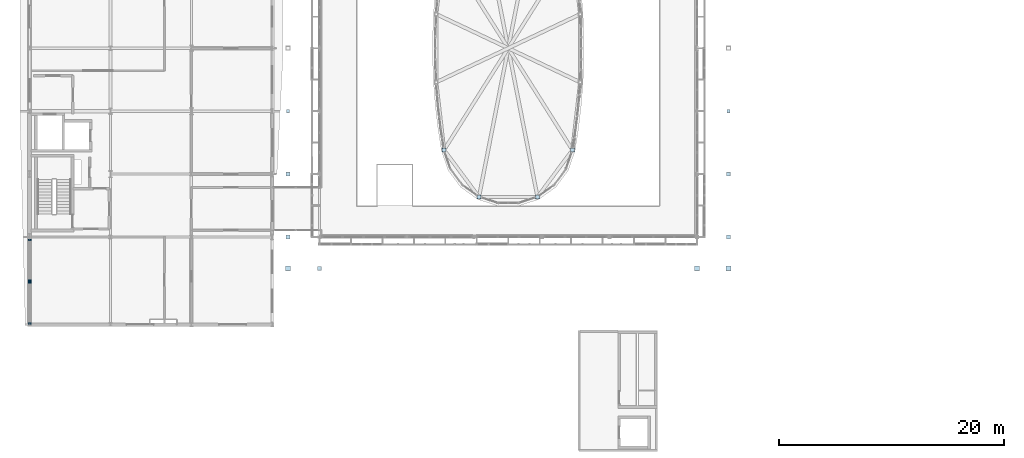
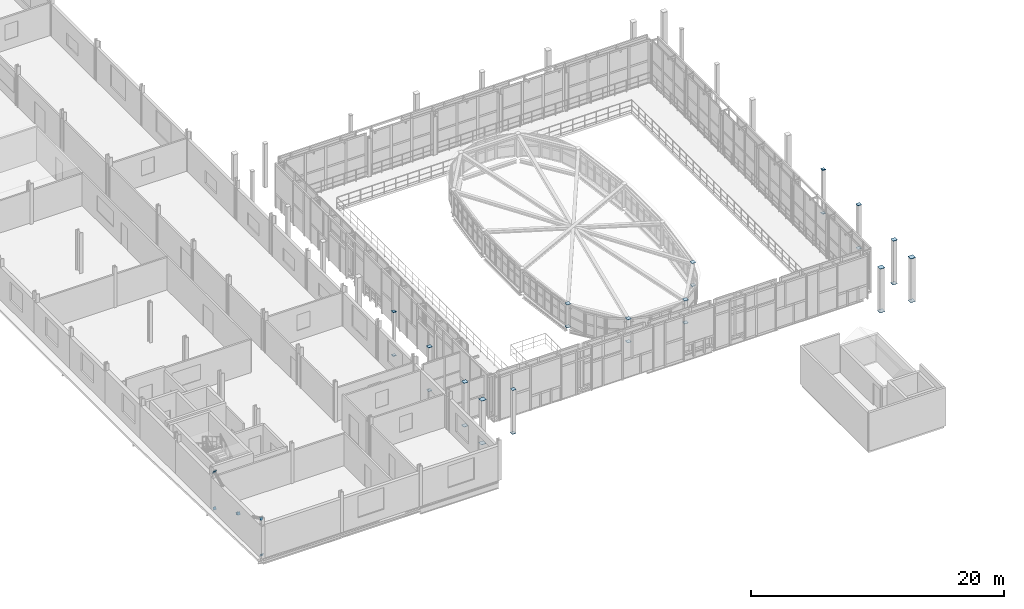
# One storey, part 57 of 78: 34 plates.
"""IFC4 building model written with IfcOpenShell, lengths in metres."""

from ifc_helpers import new_model, si_unit, direction, frame, origin, origin_2d, place, context, subcontext, project, spatial, rectangle, extrude, material, material_profile, profile_set, type_object, element, save


model = new_model("IFC4")

# Units and contexts
model_context = context("Model", 3, precision=1e-05, world=origin(), true_north=direction((0.0, 1.0)))
body_context = subcontext(model_context, "Body", "Model", "MODEL_VIEW")
ifc_project = project(units=[si_unit("LENGTHUNIT", "METRE"), si_unit("AREAUNIT", "SQUARE_METRE"), si_unit("VOLUMEUNIT", "CUBIC_METRE"), si_unit("PLANEANGLEUNIT", "RADIAN"), si_unit("MASSUNIT", "GRAM", prefix="KILO")], contexts=[model_context])

# Site, building, storey
site_placement = place(None, origin())
site = spatial("IfcSite", under=ifc_project, at=site_placement, CompositionType="ELEMENT")
building_placement = place(site_placement, origin())
building = spatial("IfcBuilding", under=site, at=building_placement, Name="Vinh Khe Railworks Police Headquarters", CompositionType="ELEMENT")
storey_placement = place(building_placement, frame((0.0, 0.0, 13.199951171875)))
storey = spatial("IfcBuildingStorey", under=building, at=storey_placement, Name="L03", CompositionType="ELEMENT", Elevation=13.199951171875)

# Plates
ifc_material = material(Name="Steel S355JR", Category="steel")
ifc_material_profile_1 = material_profile(ifc_material, rectangle(XDim=0.259033203125, YDim=0.259033203125, at=origin_2d()), Name="PL 259x259")
ifc_profile_set_1 = profile_set([ifc_material_profile_1], Name="Steel S355JR")
plate_type_1 = type_object("IfcPlateType", Name="Steel End-Cap Plate 259x259x24", PredefinedType="SHEET", material=ifc_profile_set_1)
for number, where, z_axis, x_axis, name in (
    (1, (0.60009765625, 17.52490234375, 0.199951171875), (0.0, -0.902481037784, -0.430729586215), (1.0, 0.0, 0.0), "End-Cap Gusset Plate PLT-EP-0003"),
    (2, (0.60009765625, 17.52490234375, 3.699951171875), (0.0, -0.902481037784, 0.430729586215), (1.0, 0.0, 0.0), "End-Cap Gusset Plate PLT-EP-0004"),
    (3, (0.60009765625, 21.119384765625, 1.998779296875), (0.0, 0.904357603074, -0.42677549808), (-1.0, 0.0, 0.0), "End-Cap Gusset Plate PLT-EP-0017"),
    (4, (0.60009765625, 21.325439453125, 1.9013671875), (0.0, -0.904357603074, 0.42677549808), (1.0, 0.0, 0.0), "End-Cap Gusset Plate PLT-EP-0026"),
    (5, (0.60009765625, 24.919921875, 0.199951171875), (0.0, 0.904357603074, -0.42677549808), (-1.0, 0.0, 0.0), "End-Cap Gusset Plate PLT-EP-0039"),
    (6, (0.60009765625, 24.919921875, 3.699951171875), (0.0, 0.904357603074, 0.42677549808), (-1.0, 0.0, 0.0), "End-Cap Gusset Plate PLT-EP-0040"),
):
    element("IfcPlate", number, at=place(storey_placement, frame(where, z_axis=z_axis, x_axis=x_axis)), inside=storey, type_object=plate_type_1, Name=name, PredefinedType="SHEET", context=body_context, shape_type="SweptSolid", body=[
        extrude(rectangle(XDim=0.259033203125, YDim=0.259033203125, at=origin_2d()), origin(), (0.0, 0.0, 1.0), 0.02392578125),
    ])
ifc_material_profile_2 = material_profile(ifc_material, rectangle(XDim=0.2900390625, YDim=0.2900390625, at=origin_2d()), Name="PL 290x290")
ifc_profile_set_2 = profile_set([ifc_material_profile_2], Name="Steel S355JR")
plate_type_2 = type_object("IfcPlateType", Name="Steel End-Cap Plate 290x290x24", PredefinedType="SHEET", material=ifc_profile_set_2)
plate_1_placement = place(storey_placement, frame((23.60009765625, 36.39990234375, 0.0), z_axis=(0.0, 0.0, -1.0), x_axis=(1.0, 0.0, 0.0)))
element("IfcPlate", 7, at=plate_1_placement, inside=storey, type_object=plate_type_2, Name="End-Cap Gusset Plate PLT-EP-0163", PredefinedType="SHEET", context=body_context, shape_type="SweptSolid", body=[
    extrude(rectangle(XDim=0.2900390625, YDim=0.2900390625, at=origin_2d()), origin(), (0.0, 0.0, 1.0), 0.02392578125),
])
plate_2_placement = place(storey_placement, frame((23.60009765625, 36.39990234375, 4.199951171875), z_axis=(0.0, 0.0, 1.0), x_axis=(1.0, 0.0, 0.0)))
element("IfcPlate", 8, at=plate_2_placement, inside=storey, type_object=plate_type_2, Name="End-Cap Gusset Plate PLT-EP-0165", PredefinedType="SHEET", context=body_context, shape_type="SweptSolid", body=[
    extrude(rectangle(XDim=0.2900390625, YDim=0.2900390625, at=origin_2d()), origin(), (0.0, 0.0, 1.0), 0.024169921875),
])
plate_3_placement = place(storey_placement, frame((62.800048828125, 36.39990234375, 0.0), z_axis=(0.0, 0.0, -1.0), x_axis=(1.0, 0.0, 0.0)))
element("IfcPlate", 9, at=plate_3_placement, inside=storey, type_object=plate_type_2, Name="End-Cap Gusset Plate PLT-EP-0611", PredefinedType="SHEET", context=body_context, shape_type="SweptSolid", body=[
    extrude(rectangle(XDim=0.2900390625, YDim=0.2900390625, at=origin_2d()), origin(), (0.0, 0.0, 1.0), 0.02392578125),
])
plate_4_placement = place(storey_placement, frame((62.800048828125, 36.39990234375, 4.199951171875), z_axis=(0.0, 0.0, 1.0), x_axis=(1.0, 0.0, 0.0)))
element("IfcPlate", 10, at=plate_4_placement, inside=storey, type_object=plate_type_2, Name="End-Cap Gusset Plate PLT-EP-0613", PredefinedType="SHEET", context=body_context, shape_type="SweptSolid", body=[
    extrude(rectangle(XDim=0.2900390625, YDim=0.2900390625, at=origin_2d()), origin(), (0.0, 0.0, 1.0), 0.024169921875),
])
ifc_material_profile_3 = material_profile(ifc_material, rectangle(XDim=0.340087890625, YDim=0.340087890625, at=origin_2d()), Name="PL 340x340")
ifc_profile_set_3 = profile_set([ifc_material_profile_3], Name="Steel S355JR")
plate_type_3 = type_object("IfcPlateType", Name="Steel End-Cap Plate 340x340x24", PredefinedType="SHEET", material=ifc_profile_set_3)
plate_5_placement = place(storey_placement, frame((23.60009765625, 30.800048828125, 0.0), z_axis=(0.0, 0.0, -1.0), x_axis=(1.0, 0.0, 0.0)))
element("IfcPlate", 11, at=plate_5_placement, inside=storey, type_object=plate_type_3, Name="End-Cap Gusset Plate PLT-EP-0155", PredefinedType="SHEET", context=body_context, shape_type="SweptSolid", body=[
    extrude(rectangle(XDim=0.340087890625, YDim=0.340087890625, at=origin_2d()), origin(), (0.0, 0.0, 1.0), 0.02392578125),
])
plate_6_placement = place(storey_placement, frame((23.60009765625, 30.800048828125, 4.199951171875), z_axis=(0.0, 0.0, 1.0), x_axis=(1.0, 0.0, 0.0)))
element("IfcPlate", 12, at=plate_6_placement, inside=storey, type_object=plate_type_3, Name="End-Cap Gusset Plate PLT-EP-0157", PredefinedType="SHEET", context=body_context, shape_type="SweptSolid", body=[
    extrude(rectangle(XDim=0.340087890625, YDim=0.340087890625, at=origin_2d()), origin(), (0.0, 0.0, 1.0), 0.024169921875),
])
plate_7_placement = place(storey_placement, frame((26.39990234375, 22.39990234375, 0.0), z_axis=(0.0, 0.0, -1.0), x_axis=(1.0, 0.0, 0.0)))
element("IfcPlate", 13, at=plate_7_placement, inside=storey, type_object=plate_type_3, Name="End-Cap Gusset Plate PLT-EP-0228", PredefinedType="SHEET", context=body_context, shape_type="SweptSolid", body=[
    extrude(rectangle(XDim=0.340087890625, YDim=0.340087890625, at=origin_2d()), origin(), (0.0, 0.0, 1.0), 0.02392578125),
])
plate_8_placement = place(storey_placement, frame((26.39990234375, 22.39990234375, 4.199951171875), z_axis=(0.0, 0.0, 1.0), x_axis=(1.0, 0.0, 0.0)))
element("IfcPlate", 14, at=plate_8_placement, inside=storey, type_object=plate_type_3, Name="End-Cap Gusset Plate PLT-EP-0231", PredefinedType="SHEET", context=body_context, shape_type="SweptSolid", body=[
    extrude(rectangle(XDim=0.340087890625, YDim=0.340087890625, at=origin_2d()), origin(), (0.0, 0.0, 1.0), 0.024169921875),
])
plate_9_placement = place(storey_placement, frame((62.800048828125, 30.800048828125, 0.0), z_axis=(0.0, 0.0, -1.0), x_axis=(1.0, 0.0, 0.0)))
element("IfcPlate", 15, at=plate_9_placement, inside=storey, type_object=plate_type_3, Name="End-Cap Gusset Plate PLT-EP-0603", PredefinedType="SHEET", context=body_context, shape_type="SweptSolid", body=[
    extrude(rectangle(XDim=0.340087890625, YDim=0.340087890625, at=origin_2d()), origin(), (0.0, 0.0, 1.0), 0.02392578125),
])
plate_10_placement = place(storey_placement, frame((62.800048828125, 30.800048828125, 4.199951171875), z_axis=(0.0, 0.0, 1.0), x_axis=(1.0, 0.0, 0.0)))
element("IfcPlate", 16, at=plate_10_placement, inside=storey, type_object=plate_type_3, Name="End-Cap Gusset Plate PLT-EP-0605", PredefinedType="SHEET", context=body_context, shape_type="SweptSolid", body=[
    extrude(rectangle(XDim=0.340087890625, YDim=0.340087890625, at=origin_2d()), origin(), (0.0, 0.0, 1.0), 0.024169921875),
])
ifc_material_profile_4 = material_profile(ifc_material, rectangle(XDim=0.364013671875, YDim=0.364013671875, at=origin_2d()), Name="PL 364x364")
ifc_profile_set_4 = profile_set([ifc_material_profile_4], Name="Steel S355JR")
plate_type_4 = type_object("IfcPlateType", Name="Steel End-Cap Plate 364x364x24", PredefinedType="SHEET", material=ifc_profile_set_4)
plate_11_placement = place(storey_placement, frame((37.48681640625, 32.944091796875, 0.0), z_axis=(0.0, 0.0, -1.0), x_axis=(1.0, 0.0, 0.0)))
element("IfcPlate", 17, at=plate_11_placement, inside=storey, type_object=plate_type_4, Name="End-Cap Gusset Plate PLT-EP-0355", PredefinedType="SHEET", context=body_context, shape_type="SweptSolid", body=[
    extrude(rectangle(XDim=0.364013671875, YDim=0.364013671875, at=origin_2d()), origin(), (0.0, 0.0, 1.0), 0.02392578125),
])
plate_12_placement = place(storey_placement, frame((37.48681640625, 32.944091796875, 2.199951171875), z_axis=(0.0, 0.0, 1.0), x_axis=(1.0, 0.0, 0.0)))
element("IfcPlate", 18, at=plate_12_placement, inside=storey, type_object=plate_type_4, Name="End-Cap Gusset Plate PLT-EP-0357", PredefinedType="SHEET", context=body_context, shape_type="SweptSolid", body=[
    extrude(rectangle(XDim=0.364013671875, YDim=0.364013671875, at=origin_2d()), origin(), (0.0, 0.0, 1.0), 0.024169921875),
])
plate_13_placement = place(storey_placement, frame((40.594970703125, 28.762451171875, 0.0), z_axis=(0.0, 0.0, -1.0), x_axis=(1.0, 0.0, 0.0)))
element("IfcPlate", 19, at=plate_13_placement, inside=storey, type_object=plate_type_4, Name="End-Cap Gusset Plate PLT-EP-0401", PredefinedType="SHEET", context=body_context, shape_type="SweptSolid", body=[
    extrude(rectangle(XDim=0.364013671875, YDim=0.364013671875, at=origin_2d()), origin(), (0.0, 0.0, 1.0), 0.02392578125),
])
plate_14_placement = place(storey_placement, frame((40.594970703125, 28.762451171875, 2.199951171875), z_axis=(0.0, 0.0, 1.0), x_axis=(1.0, 0.0, 0.0)))
element("IfcPlate", 20, at=plate_14_placement, inside=storey, type_object=plate_type_4, Name="End-Cap Gusset Plate PLT-EP-0403", PredefinedType="SHEET", context=body_context, shape_type="SweptSolid", body=[
    extrude(rectangle(XDim=0.364013671875, YDim=0.364013671875, at=origin_2d()), origin(), (0.0, 0.0, 1.0), 0.024169921875),
])
plate_15_placement = place(storey_placement, frame((45.80517578125, 28.762451171875, 0.0), z_axis=(0.0, 0.0, -1.0), x_axis=(1.0, 0.0, 0.0)))
element("IfcPlate", 21, at=plate_15_placement, inside=storey, type_object=plate_type_4, Name="End-Cap Gusset Plate PLT-EP-0431", PredefinedType="SHEET", context=body_context, shape_type="SweptSolid", body=[
    extrude(rectangle(XDim=0.364013671875, YDim=0.364013671875, at=origin_2d()), origin(), (0.0, 0.0, 1.0), 0.02392578125),
])
plate_16_placement = place(storey_placement, frame((45.80517578125, 28.762451171875, 2.199951171875), z_axis=(0.0, 0.0, 1.0), x_axis=(1.0, 0.0, 0.0)))
element("IfcPlate", 22, at=plate_16_placement, inside=storey, type_object=plate_type_4, Name="End-Cap Gusset Plate PLT-EP-0433", PredefinedType="SHEET", context=body_context, shape_type="SweptSolid", body=[
    extrude(rectangle(XDim=0.364013671875, YDim=0.364013671875, at=origin_2d()), origin(), (0.0, 0.0, 1.0), 0.024169921875),
])
plate_17_placement = place(storey_placement, frame((48.9130859375, 32.944091796875, 0.0), z_axis=(0.0, 0.0, -1.0), x_axis=(1.0, 0.0, 0.0)))
element("IfcPlate", 23, at=plate_17_placement, inside=storey, type_object=plate_type_4, Name="End-Cap Gusset Plate PLT-EP-0485", PredefinedType="SHEET", context=body_context, shape_type="SweptSolid", body=[
    extrude(rectangle(XDim=0.364013671875, YDim=0.364013671875, at=origin_2d()), origin(), (0.0, 0.0, 1.0), 0.02392578125),
])
plate_18_placement = place(storey_placement, frame((48.9130859375, 32.944091796875, 2.199951171875), z_axis=(0.0, 0.0, 1.0), x_axis=(1.0, 0.0, 0.0)))
element("IfcPlate", 24, at=plate_18_placement, inside=storey, type_object=plate_type_4, Name="End-Cap Gusset Plate PLT-EP-0487", PredefinedType="SHEET", context=body_context, shape_type="SweptSolid", body=[
    extrude(rectangle(XDim=0.364013671875, YDim=0.364013671875, at=origin_2d()), origin(), (0.0, 0.0, 1.0), 0.024169921875),
])
ifc_material_profile_5 = material_profile(ifc_material, rectangle(XDim=0.389892578125, YDim=0.389892578125, at=origin_2d()), Name="PL 390x390")
ifc_profile_set_5 = profile_set([ifc_material_profile_5], Name="Steel S355JR")
plate_type_5 = type_object("IfcPlateType", Name="Steel End-Cap Plate 390x390x24", PredefinedType="SHEET", material=ifc_profile_set_5)
plate_19_placement = place(storey_placement, frame((23.60009765625, 25.199951171875, 0.0), z_axis=(0.0, 0.0, -1.0), x_axis=(1.0, 0.0, 0.0)))
element("IfcPlate", 25, at=plate_19_placement, inside=storey, type_object=plate_type_5, Name="End-Cap Gusset Plate PLT-EP-0146", PredefinedType="SHEET", context=body_context, shape_type="SweptSolid", body=[
    extrude(rectangle(XDim=0.389892578125, YDim=0.389892578125, at=origin_2d()), origin(), (0.0, 0.0, 1.0), 0.02392578125),
])
plate_20_placement = place(storey_placement, frame((23.60009765625, 25.199951171875, 4.199951171875), z_axis=(0.0, 0.0, 1.0), x_axis=(1.0, 0.0, 0.0)))
element("IfcPlate", 26, at=plate_20_placement, inside=storey, type_object=plate_type_5, Name="End-Cap Gusset Plate PLT-EP-0148", PredefinedType="SHEET", context=body_context, shape_type="SweptSolid", body=[
    extrude(rectangle(XDim=0.389892578125, YDim=0.389892578125, at=origin_2d()), origin(), (0.0, 0.0, 1.0), 0.024169921875),
])
plate_21_placement = place(storey_placement, frame((62.800048828125, 25.199951171875, 0.0), z_axis=(0.0, 0.0, -1.0), x_axis=(1.0, 0.0, 0.0)))
element("IfcPlate", 27, at=plate_21_placement, inside=storey, type_object=plate_type_5, Name="End-Cap Gusset Plate PLT-EP-0594", PredefinedType="SHEET", context=body_context, shape_type="SweptSolid", body=[
    extrude(rectangle(XDim=0.389892578125, YDim=0.389892578125, at=origin_2d()), origin(), (0.0, 0.0, 1.0), 0.02392578125),
])
plate_22_placement = place(storey_placement, frame((62.800048828125, 25.199951171875, 4.199951171875), z_axis=(0.0, 0.0, 1.0), x_axis=(1.0, 0.0, 0.0)))
element("IfcPlate", 28, at=plate_22_placement, inside=storey, type_object=plate_type_5, Name="End-Cap Gusset Plate PLT-EP-0596", PredefinedType="SHEET", context=body_context, shape_type="SweptSolid", body=[
    extrude(rectangle(XDim=0.389892578125, YDim=0.389892578125, at=origin_2d()), origin(), (0.0, 0.0, 1.0), 0.024169921875),
])
ifc_material_profile_6 = material_profile(ifc_material, rectangle(XDim=0.43994140625, YDim=0.43994140625, at=origin_2d()), Name="PL 440x440")
ifc_profile_set_6 = profile_set([ifc_material_profile_6], Name="Steel S355JR")
plate_type_6 = type_object("IfcPlateType", Name="Steel End-Cap Plate 440x440x24", PredefinedType="SHEET", material=ifc_profile_set_6)
plate_23_placement = place(storey_placement, frame((23.60009765625, 22.39990234375, 0.0), z_axis=(0.0, 0.0, -1.0), x_axis=(1.0, 0.0, 0.0)))
element("IfcPlate", 29, at=plate_23_placement, inside=storey, type_object=plate_type_6, Name="End-Cap Gusset Plate PLT-EP-0138", PredefinedType="SHEET", context=body_context, shape_type="SweptSolid", body=[
    extrude(rectangle(XDim=0.43994140625, YDim=0.43994140625, at=origin_2d()), origin(), (0.0, 0.0, 1.0), 0.02392578125),
])
plate_24_placement = place(storey_placement, frame((23.60009765625, 22.39990234375, 4.199951171875), z_axis=(0.0, 0.0, 1.0), x_axis=(1.0, 0.0, 0.0)))
element("IfcPlate", 30, at=plate_24_placement, inside=storey, type_object=plate_type_6, Name="End-Cap Gusset Plate PLT-EP-0140", PredefinedType="SHEET", context=body_context, shape_type="SweptSolid", body=[
    extrude(rectangle(XDim=0.43994140625, YDim=0.43994140625, at=origin_2d()), origin(), (0.0, 0.0, 1.0), 0.024169921875),
])
plate_25_placement = place(storey_placement, frame((60.0, 22.39990234375, 0.0), z_axis=(0.0, 0.0, -1.0), x_axis=(1.0, 0.0, 0.0)))
element("IfcPlate", 31, at=plate_25_placement, inside=storey, type_object=plate_type_6, Name="End-Cap Gusset Plate PLT-EP-0555", PredefinedType="SHEET", context=body_context, shape_type="SweptSolid", body=[
    extrude(rectangle(XDim=0.43994140625, YDim=0.43994140625, at=origin_2d()), origin(), (0.0, 0.0, 1.0), 0.02392578125),
])
plate_26_placement = place(storey_placement, frame((60.0, 22.39990234375, 4.199951171875), z_axis=(0.0, 0.0, 1.0), x_axis=(1.0, 0.0, 0.0)))
element("IfcPlate", 32, at=plate_26_placement, inside=storey, type_object=plate_type_6, Name="End-Cap Gusset Plate PLT-EP-0558", PredefinedType="SHEET", context=body_context, shape_type="SweptSolid", body=[
    extrude(rectangle(XDim=0.43994140625, YDim=0.43994140625, at=origin_2d()), origin(), (0.0, 0.0, 1.0), 0.024169921875),
])
plate_27_placement = place(storey_placement, frame((62.800048828125, 22.39990234375, 0.0), z_axis=(0.0, 0.0, -1.0), x_axis=(1.0, 0.0, 0.0)))
element("IfcPlate", 33, at=plate_27_placement, inside=storey, type_object=plate_type_6, Name="End-Cap Gusset Plate PLT-EP-0586", PredefinedType="SHEET", context=body_context, shape_type="SweptSolid", body=[
    extrude(rectangle(XDim=0.43994140625, YDim=0.43994140625, at=origin_2d()), origin(), (0.0, 0.0, 1.0), 0.02392578125),
])
plate_28_placement = place(storey_placement, frame((62.800048828125, 22.39990234375, 4.199951171875), z_axis=(0.0, 0.0, 1.0), x_axis=(1.0, 0.0, 0.0)))
element("IfcPlate", 34, at=plate_28_placement, inside=storey, type_object=plate_type_6, Name="End-Cap Gusset Plate PLT-EP-0588", PredefinedType="SHEET", context=body_context, shape_type="SweptSolid", body=[
    extrude(rectangle(XDim=0.43994140625, YDim=0.43994140625, at=origin_2d()), origin(), (0.0, 0.0, 1.0), 0.024169921875),
])

save(model, "model.ifc")
